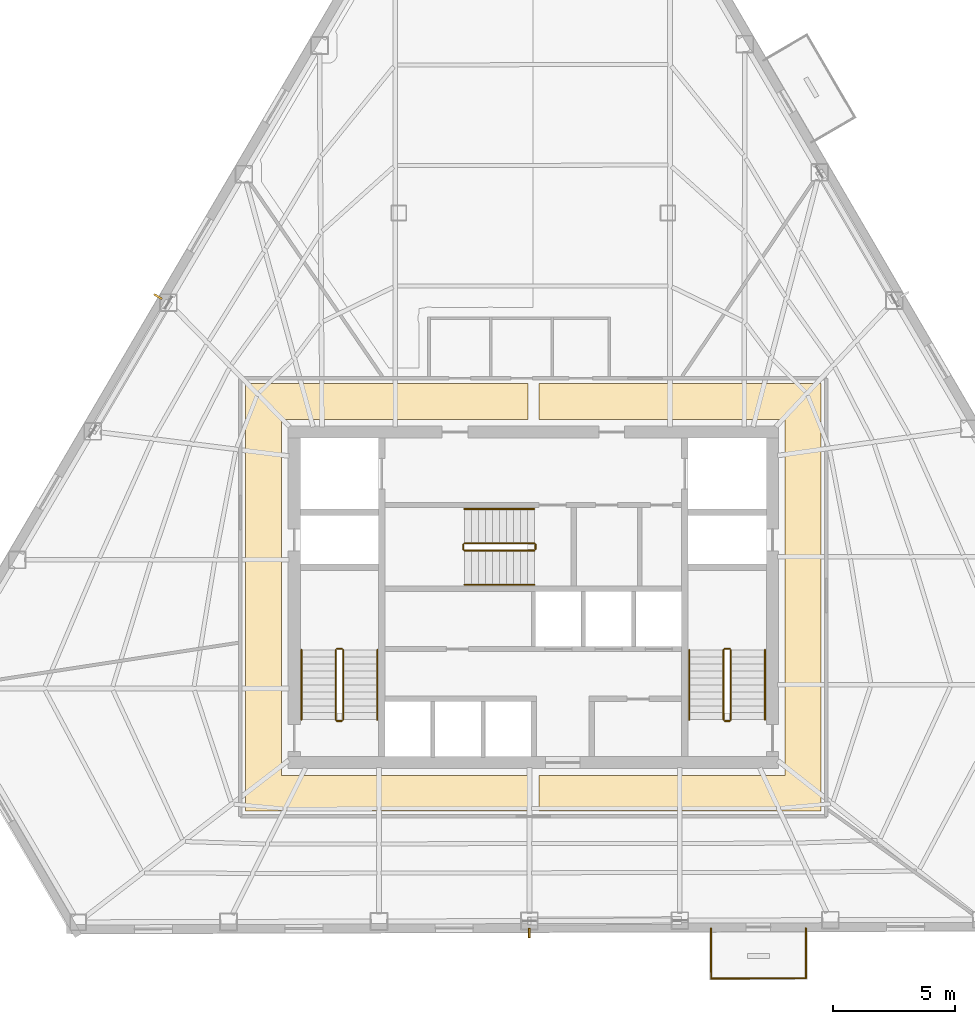
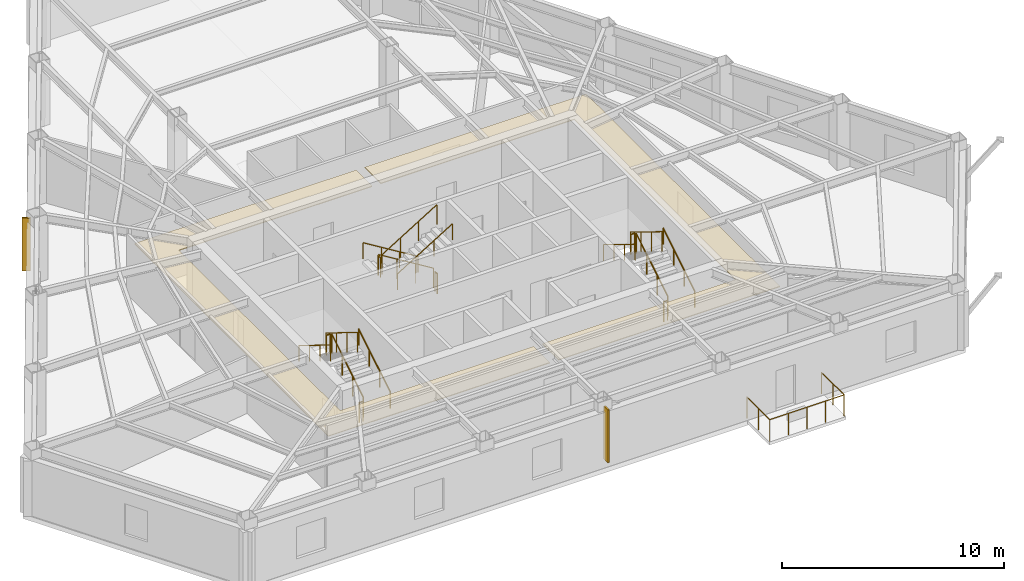
# One storey, part 9 of 10: 21 railings, 2 coverings, 2 shading devices.
"""IFC4 building model written with IfcOpenShell, lengths in metres."""

from ifc_helpers import new_model, si_unit, direction, frame, origin, origin_2d, place, context, subcontext, project, spatial, polyline, rectangle, circle, outline, extrude, material, layer, layer_set, type_object, element, save


model = new_model("IFC4")

# Units and contexts
model_context = context("Model", 3, precision=1e-05, world=origin(), true_north=direction((0.0, 1.0)))
body_context = subcontext(model_context, "Body", "Model", "MODEL_VIEW")
ifc_project = project(units=[si_unit("LENGTHUNIT", "METRE"), si_unit("AREAUNIT", "SQUARE_METRE"), si_unit("VOLUMEUNIT", "CUBIC_METRE"), si_unit("PLANEANGLEUNIT", "RADIAN"), si_unit("MASSUNIT", "GRAM", prefix="KILO")], contexts=[model_context])

# Site, building, storey
site_placement = place(None, origin())
site = spatial("IfcSite", under=ifc_project, at=site_placement, CompositionType="ELEMENT")
building_placement = place(site_placement, origin())
building = spatial("IfcBuilding", under=site, at=building_placement, Name="Kavelnor Concourse Tower", CompositionType="ELEMENT")
storey_placement = place(building_placement, frame((0.0, 0.0, 135.550048828125)))
storey = spatial("IfcBuildingStorey", under=building, at=storey_placement, Name="L34", CompositionType="ELEMENT", Elevation=135.550048828125)

# Coverings
ifc_material_1 = material(Name="Mineral fibre acoustic ceiling tile")
ifc_layer_1 = layer(ifc_material_1, 0.0400390625, Name="Mineral fibre acoustic ceiling tile")
ifc_layer_set_1 = layer_set([ifc_layer_1], Name="Mineral fibre acoustic ceiling tile")
covering_type = type_object("IfcCoveringType", Name="COV-CEILING-ACOUSTIC", PredefinedType="CEILING", material=ifc_layer_set_1)
covering_1_placement = place(storey_placement, frame((0.0, 0.0, 2.75)))
element("IfcCovering", 1, at=covering_1_placement, inside=storey, type_object=covering_type, Name="L34 Suspended Acoustic Ceiling", PredefinedType="CEILING", context=body_context, shape_type="SweptSolid", body=[
    extrude(outline(polyline([(26.25, 7.3701171875), (26.25, 24.830078125), (37.77490234375, 24.830078125), (37.77490234375, 23.3701171875), (27.7099609375, 23.3701171875), (27.7099609375, 8.830078125), (37.77490234375, 8.830078125), (37.77490234375, 7.3701171875), (26.25, 7.3701171875)])), origin(), (0.0, 0.0, 1.0), 0.0400390625),
])
covering_2_placement = place(storey_placement, frame((0.0, 0.0, 2.75)))
element("IfcCovering", 2, at=covering_2_placement, inside=storey, type_object=covering_type, Name="L34 Suspended Acoustic Ceiling", PredefinedType="CEILING", context=body_context, shape_type="SweptSolid", body=[
    extrude(outline(polyline([(49.75, 7.3701171875), (38.22509765625, 7.3701171875), (38.22509765625, 8.830078125), (48.2900390625, 8.830078125), (48.2900390625, 23.3701171875), (38.22509765625, 23.3701171875), (38.22509765625, 24.830078125), (49.75, 24.830078125), (49.75, 7.3701171875)])), origin(), (0.0, 0.0, 1.0), 0.0400390625),
])

# Railings
ifc_material_2 = material(Name="Steel Grade 350", Category="steel")
railing_type_1 = type_object("IfcRailingType", Name="RLG-GUARD-1100", PredefinedType="GUARDRAIL", material=ifc_material_2)
railing_1_placement = place(storey_placement, frame((30.22998046875, 11.10009765625, 0.175048828125)))
element("IfcRailing", 3, at=railing_1_placement, inside=storey, type_object=railing_type_1, Name="L34 ST1 stair guard 1", PredefinedType="GUARDRAIL", context=body_context, shape_type="SweptSolid", body=[
    extrude(circle(Radius=0.02392578125, at=origin_2d()), frame((0.0, 0.0, 1.076171875), z_axis=(0.0, 0.852159232446, 0.523282564737), x_axis=(-1.0, 0.0, 0.0)), (0.0, 0.0, 1.0), 3.34423828125),
    extrude(circle(Radius=0.02099609375, at=origin_2d()), origin(), (0.0, 0.0, 1.0), 1.052001953125),
    extrude(circle(Radius=0.02099609375, at=origin_2d()), frame((0.0, 0.949951171875, 0.583251953125)), (0.0, 0.0, 1.0), 1.052001953125),
    extrude(circle(Radius=0.02099609375, at=origin_2d()), frame((0.0, 1.89990234375, 1.166748046875)), (0.0, 0.0, 1.0), 1.052001953125),
    extrude(circle(Radius=0.02099609375, at=origin_2d()), frame((0.0, 2.849853515625, 1.75)), (0.0, 0.0, 1.0), 1.052001953125),
])
railing_2_placement = place(storey_placement, frame((30.179931640625, 14.0, 1.925048828125)))
element("IfcRailing", 4, at=railing_2_placement, inside=storey, type_object=railing_type_1, Name="L34 ST1 stair guard 2", PredefinedType="GUARDRAIL", context=body_context, shape_type="SweptSolid", body=[
    extrude(circle(Radius=0.02392578125, at=origin_2d()), frame((0.0, 0.0, 1.076171875), z_axis=(-1.0, 0.0, 0.0), x_axis=(0.0, -1.0, 0.0)), (0.0, 0.0, 1.0), 0.199951171875),
    extrude(circle(Radius=0.02099609375, at=origin_2d()), origin(), (0.0, 0.0, 1.0), 1.052001953125),
    extrude(circle(Radius=0.02099609375, at=origin_2d()), frame((-0.199951171875, 0.0, 0.0)), (0.0, 0.0, 1.0), 1.052001953125),
])
railing_3_placement = place(storey_placement, frame((29.929931640625, 13.949951171875, 2.099853515625)))
element("IfcRailing", 5, at=railing_3_placement, inside=storey, type_object=railing_type_1, Name="L34 ST1 stair guard 3", PredefinedType="GUARDRAIL", context=body_context, shape_type="SweptSolid", body=[
    extrude(circle(Radius=0.02392578125, at=origin_2d()), frame((0.0, 0.0, 1.076171875), z_axis=(0.0, -0.852159232446, 0.523282564737), x_axis=(1.0, 0.0, 0.0)), (0.0, 0.0, 1.0), 3.34423828125),
    extrude(circle(Radius=0.02099609375, at=origin_2d()), origin(), (0.0, 0.0, 1.0), 1.052001953125),
    extrude(circle(Radius=0.02099609375, at=origin_2d()), frame((0.0, -0.949951171875, 0.583251953125)), (0.0, 0.0, 1.0), 1.052001953125),
    extrude(circle(Radius=0.02099609375, at=origin_2d()), frame((0.0, -1.89990234375, 1.166748046875)), (0.0, 0.0, 1.0), 1.052001953125),
    extrude(circle(Radius=0.02099609375, at=origin_2d()), frame((0.0, -2.849853515625, 1.75)), (0.0, 0.0, 1.0), 1.052001953125),
])
railing_4_placement = place(storey_placement, frame((30.179931640625, 11.050048828125, 0.0)))
element("IfcRailing", 6, at=railing_4_placement, inside=storey, type_object=railing_type_1, Name="L34 ST1 stair guard 4", PredefinedType="GUARDRAIL", context=body_context, shape_type="SweptSolid", body=[
    extrude(circle(Radius=0.02392578125, at=origin_2d()), frame((0.0, 0.0, 1.076171875), z_axis=(-1.0, 0.0, 0.0), x_axis=(0.0, -1.0, 0.0)), (0.0, 0.0, 1.0), 0.199951171875),
    extrude(circle(Radius=0.02099609375, at=origin_2d()), origin(), (0.0, 0.0, 1.0), 1.052001953125),
    extrude(circle(Radius=0.02099609375, at=origin_2d()), frame((-0.199951171875, 0.0, 0.0)), (0.0, 0.0, 1.0), 1.052001953125),
])
railing_5_placement = place(storey_placement, frame((46.070068359375, 11.10009765625, 0.175048828125)))
element("IfcRailing", 7, at=railing_5_placement, inside=storey, type_object=railing_type_1, Name="L34 ST2 stair guard 1", PredefinedType="GUARDRAIL", context=body_context, shape_type="SweptSolid", body=[
    extrude(circle(Radius=0.02392578125, at=origin_2d()), frame((0.0, 0.0, 1.076171875), z_axis=(0.0, 0.852159232446, 0.523282564737), x_axis=(-1.0, 0.0, 0.0)), (0.0, 0.0, 1.0), 3.34423828125),
    extrude(circle(Radius=0.02099609375, at=origin_2d()), origin(), (0.0, 0.0, 1.0), 1.052001953125),
    extrude(circle(Radius=0.02099609375, at=origin_2d()), frame((0.0, 0.949951171875, 0.583251953125)), (0.0, 0.0, 1.0), 1.052001953125),
    extrude(circle(Radius=0.02099609375, at=origin_2d()), frame((0.0, 1.89990234375, 1.166748046875)), (0.0, 0.0, 1.0), 1.052001953125),
    extrude(circle(Radius=0.02099609375, at=origin_2d()), frame((0.0, 2.849853515625, 1.75)), (0.0, 0.0, 1.0), 1.052001953125),
])
railing_6_placement = place(storey_placement, frame((46.02001953125, 14.0, 1.925048828125)))
element("IfcRailing", 8, at=railing_6_placement, inside=storey, type_object=railing_type_1, Name="L34 ST2 stair guard 2", PredefinedType="GUARDRAIL", context=body_context, shape_type="SweptSolid", body=[
    extrude(circle(Radius=0.02392578125, at=origin_2d()), frame((0.0, 0.0, 1.076171875), z_axis=(-1.0, 0.0, 0.0), x_axis=(0.0, -1.0, 0.0)), (0.0, 0.0, 1.0), 0.199951171875),
    extrude(circle(Radius=0.02099609375, at=origin_2d()), origin(), (0.0, 0.0, 1.0), 1.052001953125),
    extrude(circle(Radius=0.02099609375, at=origin_2d()), frame((-0.199951171875, 0.0, 0.0)), (0.0, 0.0, 1.0), 1.052001953125),
])
railing_7_placement = place(storey_placement, frame((45.77001953125, 13.949951171875, 2.099853515625)))
element("IfcRailing", 9, at=railing_7_placement, inside=storey, type_object=railing_type_1, Name="L34 ST2 stair guard 3", PredefinedType="GUARDRAIL", context=body_context, shape_type="SweptSolid", body=[
    extrude(circle(Radius=0.02392578125, at=origin_2d()), frame((0.0, 0.0, 1.076171875), z_axis=(0.0, -0.852159232446, 0.523282564737), x_axis=(1.0, 0.0, 0.0)), (0.0, 0.0, 1.0), 3.34423828125),
    extrude(circle(Radius=0.02099609375, at=origin_2d()), origin(), (0.0, 0.0, 1.0), 1.052001953125),
    extrude(circle(Radius=0.02099609375, at=origin_2d()), frame((0.0, -0.949951171875, 0.583251953125)), (0.0, 0.0, 1.0), 1.052001953125),
    extrude(circle(Radius=0.02099609375, at=origin_2d()), frame((0.0, -1.89990234375, 1.166748046875)), (0.0, 0.0, 1.0), 1.052001953125),
    extrude(circle(Radius=0.02099609375, at=origin_2d()), frame((0.0, -2.849853515625, 1.75)), (0.0, 0.0, 1.0), 1.052001953125),
])
railing_8_placement = place(storey_placement, frame((46.02001953125, 11.050048828125, 0.0)))
element("IfcRailing", 10, at=railing_8_placement, inside=storey, type_object=railing_type_1, Name="L34 ST2 stair guard 4", PredefinedType="GUARDRAIL", context=body_context, shape_type="SweptSolid", body=[
    extrude(circle(Radius=0.02392578125, at=origin_2d()), frame((0.0, 0.0, 1.076171875), z_axis=(-1.0, 0.0, 0.0), x_axis=(0.0, -1.0, 0.0)), (0.0, 0.0, 1.0), 0.199951171875),
    extrude(circle(Radius=0.02099609375, at=origin_2d()), origin(), (0.0, 0.0, 1.0), 1.052001953125),
    extrude(circle(Radius=0.02099609375, at=origin_2d()), frame((-0.199951171875, 0.0, 0.0)), (0.0, 0.0, 1.0), 1.052001953125),
])
railing_9_placement = place(storey_placement, frame((38.0400390625, 18.31005859375, 0.175048828125)))
element("IfcRailing", 11, at=railing_9_placement, inside=storey, type_object=railing_type_1, Name="L34 ST3 stair guard 1", PredefinedType="GUARDRAIL", context=body_context, shape_type="SweptSolid", body=[
    extrude(circle(Radius=0.02392578125, at=origin_2d()), frame((0.0, 0.0, 1.076171875), z_axis=(-0.852179220489, 0.0, 0.52325001306), x_axis=(0.0, -1.0, 0.0)), (0.0, 0.0, 1.0), 3.344482421875),
    extrude(circle(Radius=0.02099609375, at=origin_2d()), origin(), (0.0, 0.0, 1.0), 1.052001953125),
    extrude(circle(Radius=0.02099609375, at=origin_2d()), frame((-0.949951171875, 0.0, 0.583251953125)), (0.0, 0.0, 1.0), 1.052001953125),
    extrude(circle(Radius=0.02099609375, at=origin_2d()), frame((-1.900146484375, 0.0, 1.166748046875)), (0.0, 0.0, 1.0), 1.052001953125),
    extrude(circle(Radius=0.02099609375, at=origin_2d()), frame((-2.85009765625, 0.0, 1.75)), (0.0, 0.0, 1.0), 1.052001953125),
])
railing_10_placement = place(storey_placement, frame((35.139892578125, 18.260009765625, 1.925048828125)))
element("IfcRailing", 12, at=railing_10_placement, inside=storey, type_object=railing_type_1, Name="L34 ST3 stair guard 2", PredefinedType="GUARDRAIL", context=body_context, shape_type="SweptSolid", body=[
    extrude(circle(Radius=0.02392578125, at=origin_2d()), frame((0.0, 0.0, 1.076171875), z_axis=(0.0, -1.0, 0.0), x_axis=(1.0, 0.0, 0.0)), (0.0, 0.0, 1.0), 0.199951171875),
    extrude(circle(Radius=0.02099609375, at=origin_2d()), origin(), (0.0, 0.0, 1.0), 1.052001953125),
    extrude(circle(Radius=0.02099609375, at=origin_2d()), frame((0.0, -0.199951171875, 0.0)), (0.0, 0.0, 1.0), 1.052001953125),
])
railing_11_placement = place(storey_placement, frame((35.18994140625, 18.010009765625, 2.099853515625)))
element("IfcRailing", 13, at=railing_11_placement, inside=storey, type_object=railing_type_1, Name="L34 ST3 stair guard 3", PredefinedType="GUARDRAIL", context=body_context, shape_type="SweptSolid", body=[
    extrude(circle(Radius=0.02392578125, at=origin_2d()), frame((0.0, 0.0, 1.076171875), z_axis=(0.852179220489, 0.0, 0.52325001306), x_axis=(0.0, 1.0, 0.0)), (0.0, 0.0, 1.0), 3.344482421875),
    extrude(circle(Radius=0.02099609375, at=origin_2d()), origin(), (0.0, 0.0, 1.0), 1.052001953125),
    extrude(circle(Radius=0.02099609375, at=origin_2d()), frame((0.949951171875, 0.0, 0.583251953125)), (0.0, 0.0, 1.0), 1.052001953125),
    extrude(circle(Radius=0.02099609375, at=origin_2d()), frame((1.900146484375, 0.0, 1.166748046875)), (0.0, 0.0, 1.0), 1.052001953125),
    extrude(circle(Radius=0.02099609375, at=origin_2d()), frame((2.85009765625, 0.0, 1.75)), (0.0, 0.0, 1.0), 1.052001953125),
])
railing_12_placement = place(storey_placement, frame((38.090087890625, 18.260009765625, 0.0)))
element("IfcRailing", 14, at=railing_12_placement, inside=storey, type_object=railing_type_1, Name="L34 ST3 stair guard 4", PredefinedType="GUARDRAIL", context=body_context, shape_type="SweptSolid", body=[
    extrude(circle(Radius=0.02392578125, at=origin_2d()), frame((0.0, 0.0, 1.076171875), z_axis=(0.0, -1.0, 0.0), x_axis=(1.0, 0.0, 0.0)), (0.0, 0.0, 1.0), 0.199951171875),
    extrude(circle(Radius=0.02099609375, at=origin_2d()), origin(), (0.0, 0.0, 1.0), 1.052001953125),
    extrude(circle(Radius=0.02099609375, at=origin_2d()), frame((0.0, -0.199951171875, 0.0)), (0.0, 0.0, 1.0), 1.052001953125),
])
railing_type_2 = type_object("IfcRailingType", Name="RLG-HANDRAIL-900", PredefinedType="HANDRAIL", material=ifc_material_2)
railing_13_placement = place(storey_placement, frame((31.6298828125, 11.10009765625, 0.175048828125)))
element("IfcRailing", 15, at=railing_13_placement, inside=storey, type_object=railing_type_2, Name="L34 ST1 stair handrail 1", PredefinedType="HANDRAIL", context=body_context, shape_type="SweptSolid", body=[
    extrude(circle(Radius=0.02392578125, at=origin_2d()), frame((0.0, 0.0, 0.8759765625), z_axis=(0.0, 0.852159232446, 0.523282564737), x_axis=(-1.0, 0.0, 0.0)), (0.0, 0.0, 1.0), 3.34423828125),
    extrude(circle(Radius=0.02099609375, at=origin_2d()), origin(), (0.0, 0.0, 1.0), 0.851806640625),
    extrude(circle(Radius=0.02099609375, at=origin_2d()), frame((0.0, 0.949951171875, 0.583251953125)), (0.0, 0.0, 1.0), 0.851806640625),
    extrude(circle(Radius=0.02099609375, at=origin_2d()), frame((0.0, 1.89990234375, 1.166748046875)), (0.0, 0.0, 1.0), 0.851806640625),
    extrude(circle(Radius=0.02099609375, at=origin_2d()), frame((0.0, 2.849853515625, 1.75)), (0.0, 0.0, 1.0), 0.851806640625),
])
railing_14_placement = place(storey_placement, frame((28.530029296875, 13.949951171875, 2.099853515625)))
element("IfcRailing", 16, at=railing_14_placement, inside=storey, type_object=railing_type_2, Name="L34 ST1 stair handrail 2", PredefinedType="HANDRAIL", context=body_context, shape_type="SweptSolid", body=[
    extrude(circle(Radius=0.02392578125, at=origin_2d()), frame((0.0, 0.0, 0.8759765625), z_axis=(0.0, -0.852159232446, 0.523282564737), x_axis=(1.0, 0.0, 0.0)), (0.0, 0.0, 1.0), 3.34423828125),
    extrude(circle(Radius=0.02099609375, at=origin_2d()), origin(), (0.0, 0.0, 1.0), 0.851806640625),
    extrude(circle(Radius=0.02099609375, at=origin_2d()), frame((0.0, -0.949951171875, 0.583251953125)), (0.0, 0.0, 1.0), 0.851806640625),
    extrude(circle(Radius=0.02099609375, at=origin_2d()), frame((0.0, -1.89990234375, 1.166748046875)), (0.0, 0.0, 1.0), 0.851806640625),
    extrude(circle(Radius=0.02099609375, at=origin_2d()), frame((0.0, -2.849853515625, 1.75)), (0.0, 0.0, 1.0), 0.851806640625),
])
railing_15_placement = place(storey_placement, frame((47.469970703125, 11.10009765625, 0.175048828125)))
element("IfcRailing", 17, at=railing_15_placement, inside=storey, type_object=railing_type_2, Name="L34 ST2 stair handrail 1", PredefinedType="HANDRAIL", context=body_context, shape_type="SweptSolid", body=[
    extrude(circle(Radius=0.02392578125, at=origin_2d()), frame((0.0, 0.0, 0.8759765625), z_axis=(0.0, 0.852159232446, 0.523282564737), x_axis=(-1.0, 0.0, 0.0)), (0.0, 0.0, 1.0), 3.34423828125),
    extrude(circle(Radius=0.02099609375, at=origin_2d()), origin(), (0.0, 0.0, 1.0), 0.851806640625),
    extrude(circle(Radius=0.02099609375, at=origin_2d()), frame((0.0, 0.949951171875, 0.583251953125)), (0.0, 0.0, 1.0), 0.851806640625),
    extrude(circle(Radius=0.02099609375, at=origin_2d()), frame((0.0, 1.89990234375, 1.166748046875)), (0.0, 0.0, 1.0), 0.851806640625),
    extrude(circle(Radius=0.02099609375, at=origin_2d()), frame((0.0, 2.849853515625, 1.75)), (0.0, 0.0, 1.0), 0.851806640625),
])
railing_16_placement = place(storey_placement, frame((44.3701171875, 13.949951171875, 2.099853515625)))
element("IfcRailing", 18, at=railing_16_placement, inside=storey, type_object=railing_type_2, Name="L34 ST2 stair handrail 2", PredefinedType="HANDRAIL", context=body_context, shape_type="SweptSolid", body=[
    extrude(circle(Radius=0.02392578125, at=origin_2d()), frame((0.0, 0.0, 0.8759765625), z_axis=(0.0, -0.852159232446, 0.523282564737), x_axis=(1.0, 0.0, 0.0)), (0.0, 0.0, 1.0), 3.34423828125),
    extrude(circle(Radius=0.02099609375, at=origin_2d()), origin(), (0.0, 0.0, 1.0), 0.851806640625),
    extrude(circle(Radius=0.02099609375, at=origin_2d()), frame((0.0, -0.949951171875, 0.583251953125)), (0.0, 0.0, 1.0), 0.851806640625),
    extrude(circle(Radius=0.02099609375, at=origin_2d()), frame((0.0, -1.89990234375, 1.166748046875)), (0.0, 0.0, 1.0), 0.851806640625),
    extrude(circle(Radius=0.02099609375, at=origin_2d()), frame((0.0, -2.849853515625, 1.75)), (0.0, 0.0, 1.0), 0.851806640625),
])
railing_17_placement = place(storey_placement, frame((38.0400390625, 19.7099609375, 0.175048828125)))
element("IfcRailing", 19, at=railing_17_placement, inside=storey, type_object=railing_type_2, Name="L34 ST3 stair handrail 1", PredefinedType="HANDRAIL", context=body_context, shape_type="SweptSolid", body=[
    extrude(circle(Radius=0.02392578125, at=origin_2d()), frame((0.0, 0.0, 0.8759765625), z_axis=(-0.852179220489, 0.0, 0.52325001306), x_axis=(0.0, -1.0, 0.0)), (0.0, 0.0, 1.0), 3.344482421875),
    extrude(circle(Radius=0.02099609375, at=origin_2d()), origin(), (0.0, 0.0, 1.0), 0.851806640625),
    extrude(circle(Radius=0.02099609375, at=origin_2d()), frame((-0.949951171875, 0.0, 0.583251953125)), (0.0, 0.0, 1.0), 0.851806640625),
    extrude(circle(Radius=0.02099609375, at=origin_2d()), frame((-1.900146484375, 0.0, 1.166748046875)), (0.0, 0.0, 1.0), 0.851806640625),
    extrude(circle(Radius=0.02099609375, at=origin_2d()), frame((-2.85009765625, 0.0, 1.75)), (0.0, 0.0, 1.0), 0.851806640625),
])
railing_18_placement = place(storey_placement, frame((35.18994140625, 16.610107421875, 2.099853515625)))
element("IfcRailing", 20, at=railing_18_placement, inside=storey, type_object=railing_type_2, Name="L34 ST3 stair handrail 2", PredefinedType="HANDRAIL", context=body_context, shape_type="SweptSolid", body=[
    extrude(circle(Radius=0.02392578125, at=origin_2d()), frame((0.0, 0.0, 0.8759765625), z_axis=(0.852179220489, 0.0, 0.52325001306), x_axis=(0.0, 1.0, 0.0)), (0.0, 0.0, 1.0), 3.344482421875),
    extrude(circle(Radius=0.02099609375, at=origin_2d()), origin(), (0.0, 0.0, 1.0), 0.851806640625),
    extrude(circle(Radius=0.02099609375, at=origin_2d()), frame((0.949951171875, 0.0, 0.583251953125)), (0.0, 0.0, 1.0), 0.851806640625),
    extrude(circle(Radius=0.02099609375, at=origin_2d()), frame((1.900146484375, 0.0, 1.166748046875)), (0.0, 0.0, 1.0), 0.851806640625),
    extrude(circle(Radius=0.02099609375, at=origin_2d()), frame((2.85009765625, 0.0, 1.75)), (0.0, 0.0, 1.0), 0.851806640625),
])
ifc_material_3 = material(Name="Architectural bronze-anodised aluminium", Category="aluminium")
railing_type_3 = type_object("IfcRailingType", Name="RLG-TERRACE-1200", PredefinedType="BALUSTRADE", material=ifc_material_3)
railing_19_placement = place(storey_placement, frame((45.259033203125, 2.576171875, 0.0)))
element("IfcRailing", 21, at=railing_19_placement, inside=storey, type_object=railing_type_3, Name="L34 Tree Balcony 1 Guardrail L", PredefinedType="BALUSTRADE", context=body_context, shape_type="SweptSolid", body=[
    extrude(circle(Radius=0.02392578125, at=origin_2d()), frame((0.0, 0.0, 1.17578125), z_axis=(0.002977240586, -0.999995568009, 0.0), x_axis=(0.999995568009, 0.002977240586, 0.0)), (0.0, 0.0, 1.0), 2.050048828125),
    extrude(circle(Radius=0.02099609375, at=origin_2d()), origin(), (0.0, 0.0, 1.0), 1.15185546875),
    extrude(circle(Radius=0.02099609375, at=origin_2d()), frame((0.0029296875, -1.02490234375, 0.0)), (0.0, 0.0, 1.0), 1.15185546875),
    extrude(circle(Radius=0.02099609375, at=origin_2d()), frame((0.006103515625, -2.050048828125, 0.0)), (0.0, 0.0, 1.0), 1.15185546875),
])
railing_20_placement = place(storey_placement, frame((45.26513671875, 0.526123046875, 0.0)))
element("IfcRailing", 22, at=railing_20_placement, inside=storey, type_object=railing_type_3, Name="L34 Tree Balcony 1 Guardrail F", PredefinedType="BALUSTRADE", context=body_context, shape_type="SweptSolid", body=[
    extrude(circle(Radius=0.02392578125, at=origin_2d()), frame((0.0, 0.0, 1.17578125), z_axis=(0.999995627286, 0.002957263857, 0.0), x_axis=(-0.002957263857, 0.999995627286, 0.0)), (0.0, 0.0, 1.0), 3.880126953125),
    extrude(circle(Radius=0.02099609375, at=origin_2d()), origin(), (0.0, 0.0, 1.0), 1.15185546875),
    extrude(circle(Radius=0.02099609375, at=origin_2d()), frame((0.969970703125, 0.0029296875, 0.0)), (0.0, 0.0, 1.0), 1.15185546875),
    extrude(circle(Radius=0.02099609375, at=origin_2d()), frame((1.93994140625, 0.005859375, 0.0)), (0.0, 0.0, 1.0), 1.15185546875),
    extrude(circle(Radius=0.02099609375, at=origin_2d()), frame((2.91015625, 0.008544921875, 0.0)), (0.0, 0.0, 1.0), 1.15185546875),
    extrude(circle(Radius=0.02099609375, at=origin_2d()), frame((3.880126953125, 0.011474609375, 0.0)), (0.0, 0.0, 1.0), 1.15185546875),
])
railing_21_placement = place(storey_placement, frame((49.145263671875, 0.53759765625, 0.0)))
element("IfcRailing", 23, at=railing_21_placement, inside=storey, type_object=railing_type_3, Name="L34 Tree Balcony 1 Guardrail R", PredefinedType="BALUSTRADE", context=body_context, shape_type="SweptSolid", body=[
    extrude(circle(Radius=0.02392578125, at=origin_2d()), frame((0.0, 0.0, 1.17578125), z_axis=(-0.002977240586, 0.999995568009, 0.0), x_axis=(-0.999995568009, -0.002977240586, 0.0)), (0.0, 0.0, 1.0), 2.050048828125),
    extrude(circle(Radius=0.02099609375, at=origin_2d()), origin(), (0.0, 0.0, 1.0), 1.15185546875),
    extrude(circle(Radius=0.02099609375, at=origin_2d()), frame((-0.0029296875, 1.02490234375, 0.0)), (0.0, 0.0, 1.0), 1.15185546875),
    extrude(circle(Radius=0.02099609375, at=origin_2d()), frame((-0.006103515625, 2.050048828125, 0.0)), (0.0, 0.0, 1.0), 1.15185546875),
])

# Shading devices
ifc_layer_2 = layer(ifc_material_3, 0.06005859375, Name="Architectural bronze-anodised aluminium")
ifc_layer_set_2 = layer_set([ifc_layer_2], Name="Architectural bronze-anodised aluminium")
shading_device_type = type_object("IfcShadingDeviceType", Name="SHD-SOLAR-FIN", PredefinedType="JALOUSIE", material=ifc_layer_set_2)
for number, where, z_axis, x_axis, name in (
    (24, (22.66748046875, 28.38623046875, 0.39990234375), (0.0, 0.0, 1.0), (-0.862071743077, 0.506786256511, 0.0), "L34 Bronze Pier Solar Fin F0"),
    (25, (37.84423828125, 2.384033203125, 0.39990234375), (0.0, 0.0, 1.0), (0.002967055375, -0.999995598282, 0.0), "L34 Bronze Pier Solar Fin F1"),
):
    element("IfcShadingDevice", number, at=place(storey_placement, frame(where, z_axis=z_axis, x_axis=x_axis)), inside=storey, type_object=shading_device_type, Name=name, PredefinedType="JALOUSIE", context=body_context, shape_type="SweptSolid", body=[
        extrude(rectangle(XDim=0.3798828125, YDim=0.080078125, at=origin_2d()), origin(), (0.0, 0.0, 1.0), 2.89990234375),
    ])

save(model, "model.ifc")
